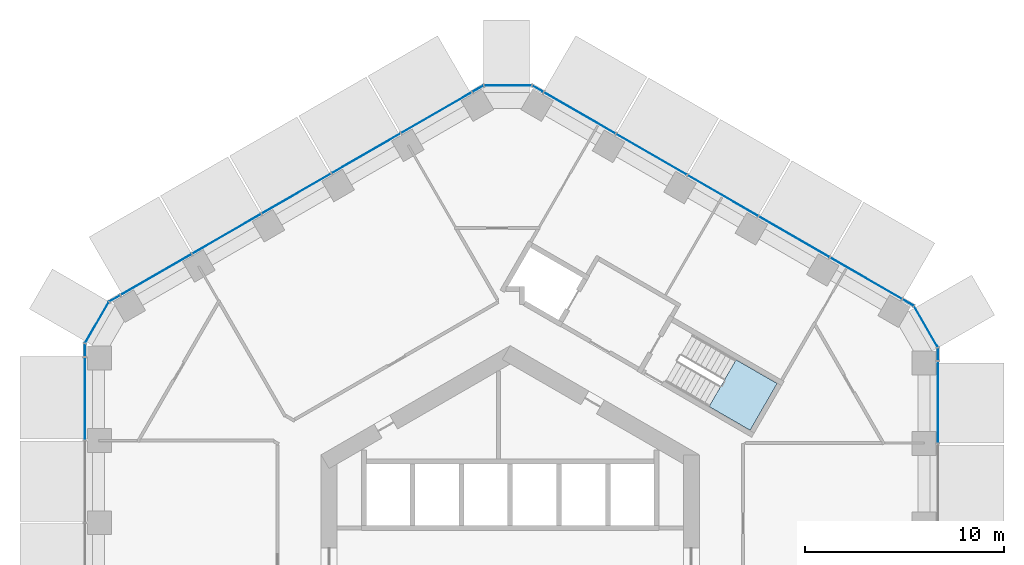
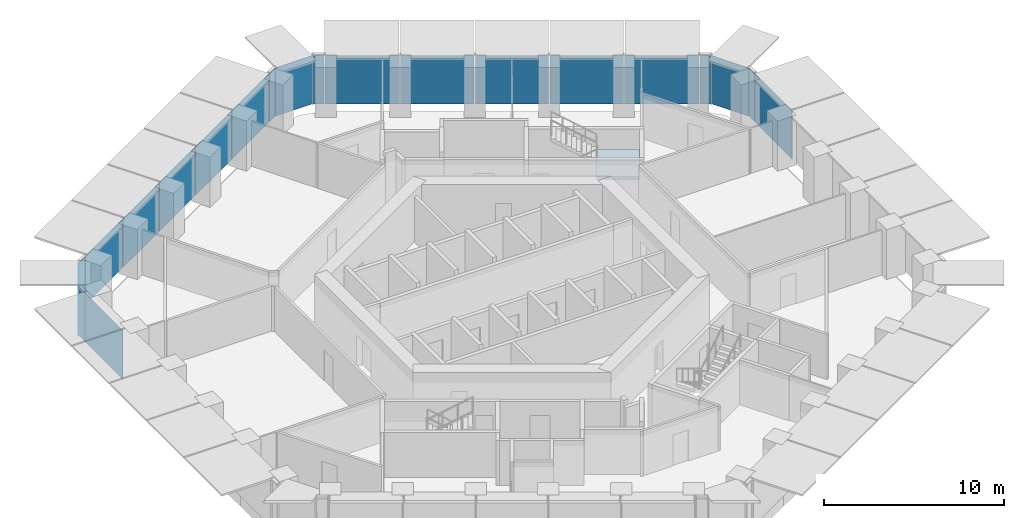
# One storey, part 11 of 19: 21 plates, 1 slab, 8 elements without a shape of their own.
"""IFC4 building model written with IfcOpenShell, lengths in metres."""

from ifc_helpers import new_model, si_unit, direction, frame, origin, origin_2d, place, context, subcontext, project, spatial, polyline, rectangle, outline, extrude, material, layer, layer_set, type_object, element, aggregate, save


model = new_model("IFC4")

# Units and contexts
model_context = context("Model", 3, precision=1e-05, world=origin(), true_north=direction((0.0, 1.0)))
body_context = subcontext(model_context, "Body", "Model", "MODEL_VIEW")
ifc_project = project(units=[si_unit("LENGTHUNIT", "METRE"), si_unit("AREAUNIT", "SQUARE_METRE"), si_unit("VOLUMEUNIT", "CUBIC_METRE"), si_unit("PLANEANGLEUNIT", "RADIAN"), si_unit("MASSUNIT", "GRAM", prefix="KILO")], contexts=[model_context])

# Site, building, storey
site_placement = place(None, origin())
site = spatial("IfcSite", under=ifc_project, at=site_placement, CompositionType="ELEMENT")
building_placement = place(site_placement, origin())
building = spatial("IfcBuilding", under=site, at=building_placement, Name="Ayvan Gate Tower", CompositionType="ELEMENT")
storey_placement = place(building_placement, frame((0.0, 0.0, 32.300048828125)))
storey = spatial("IfcBuildingStorey", under=building, at=storey_placement, Name="L07", CompositionType="ELEMENT", Elevation=32.300048828125)

# Stair, slab
ifc_material_1 = material(Name="Concrete C40/50", Category="concrete")
stair_type = type_object("IfcStairType", Name="ST-EXIT", PredefinedType="HALF_TURN_STAIR", material=ifc_material_1)
stair_placement = place(storey_placement, origin())
stair = element("IfcStair", 1, at=stair_placement, inside=storey, type_object=stair_type, Name="L07 Exit Stair S1", PredefinedType="HALF_TURN_STAIR")
ifc_layer_1 = layer(ifc_material_1, 0.199951171875)
ifc_layer_set_1 = layer_set([ifc_layer_1], Name="Concrete C40/50")
slab_type = type_object("IfcSlabType", Name="SL-LANDING-200", PredefinedType="LANDING", material=ifc_layer_set_1)
slab_placement = place(storey_placement, frame((0.0, 0.0, 1.5)))
slab = element("IfcSlab", 2, at=slab_placement, type_object=slab_type, Name="STS1 landing 1", PredefinedType="LANDING", context=body_context, shape_type="SweptSolid", body=[
    extrude(outline(polyline([(9.988525390625, 7.91064453125), (12.049560546875, 6.720458984375), (13.404541015625, 9.0673828125), (11.343505859375, 10.257568359375), (9.988525390625, 7.91064453125)])), origin(), (0.0, 0.0, 1.0), 0.199951171875),
])
aggregate(stair, [slab])

# Curtain wall, plates
ifc_material_2 = material(Name="Bronze anodised aluminium", Category="aluminium")
ifc_layer_2 = layer(ifc_material_2, 0.199951171875)
ifc_layer_set_2 = layer_set([ifc_layer_2], Name="Bronze anodised aluminium")
curtain_wall_type_1 = type_object("IfcCurtainWallType", Name="Stick curtain wall CW-1", PredefinedType="NOTDEFINED", material=ifc_layer_set_2)
curtain_wall_1_placement = place(storey_placement, origin())
curtain_wall_1 = element("IfcCurtainWall", 3, at=curtain_wall_1_placement, inside=storey, type_object=curtain_wall_type_1, Name="Stick curtain wall CW-1 L07", PredefinedType="NOTDEFINED")
ifc_material_3 = material(Name="Clear low-iron laminated glass", Category="glass")
ifc_layer_3 = layer(ifc_material_3, 0.028076171875)
ifc_layer_set_3 = layer_set([ifc_layer_3], Name="Clear low-iron laminated glass")
plate_type_1 = type_object("IfcPlateType", Name="Stick curtain wall CW-1 glass panel", PredefinedType="CURTAIN_PANEL", material=ifc_layer_set_3)
plate_1_placement = place(storey_placement, frame((-3.6923828125, 22.676513671875, 0.0), z_axis=(0.0, 0.0, 1.0), x_axis=(-0.866025403784, -0.5, 0.0)))
plate_1 = element("IfcPlate", 4, at=plate_1_placement, type_object=plate_type_1, Name="CW-1 glass panel 1", PredefinedType="CURTAIN_PANEL", context=body_context, shape_type="SweptSolid", body=[
    extrude(rectangle(XDim=4.10498046875, YDim=0.028076171875, at=origin_2d()), origin(), (0.0, 0.0, 1.0), 3.280029296875),
])
plate_2_placement = place(storey_placement, frame((-7.244873046875, 20.62548828125, 0.0), z_axis=(0.0, 0.0, 1.0), x_axis=(-0.866025403784, -0.5, 0.0)))
plate_2 = element("IfcPlate", 5, at=plate_2_placement, type_object=plate_type_1, Name="CW-1 glass panel 2", PredefinedType="CURTAIN_PANEL", context=body_context, shape_type="SweptSolid", body=[
    extrude(rectangle(XDim=3.97900390625, YDim=0.028076171875, at=origin_2d()), origin(), (0.0, 0.0, 1.0), 3.280029296875),
])
plate_3_placement = place(storey_placement, frame((-10.7421875, 18.606201171875, 0.0), z_axis=(0.0, 0.0, 1.0), x_axis=(-0.866025403784, -0.5, 0.0)))
plate_3 = element("IfcPlate", 6, at=plate_3_placement, type_object=plate_type_1, Name="CW-1 glass panel 3", PredefinedType="CURTAIN_PANEL", context=body_context, shape_type="SweptSolid", body=[
    extrude(rectangle(XDim=3.97802734375, YDim=0.028076171875, at=origin_2d()), origin(), (0.0, 0.0, 1.0), 3.280029296875),
])
plate_4_placement = place(storey_placement, frame((-14.23974609375, 16.5869140625, 0.0), z_axis=(0.0, 0.0, 1.0), x_axis=(-0.866025403784, -0.5, 0.0)))
plate_4 = element("IfcPlate", 7, at=plate_4_placement, type_object=plate_type_1, Name="CW-1 glass panel 4", PredefinedType="CURTAIN_PANEL", context=body_context, shape_type="SweptSolid", body=[
    extrude(rectangle(XDim=3.97900390625, YDim=0.028076171875, at=origin_2d()), origin(), (0.0, 0.0, 1.0), 3.280029296875),
])
plate_5_placement = place(storey_placement, frame((-17.792236328125, 14.535888671875, 0.0), z_axis=(0.0, 0.0, 1.0), x_axis=(-0.866025403784, -0.5, 0.0)))
plate_5 = element("IfcPlate", 8, at=plate_5_placement, type_object=plate_type_1, Name="CW-1 glass panel 5", PredefinedType="CURTAIN_PANEL", context=body_context, shape_type="SweptSolid", body=[
    extrude(rectangle(XDim=4.10498046875, YDim=0.028076171875, at=origin_2d()), origin(), (0.0, 0.0, 1.0), 3.280029296875),
])
aggregate(curtain_wall_1, [plate_1, plate_2, plate_3, plate_4, plate_5])

# Curtain wall, plate
curtain_wall_2_placement = place(storey_placement, origin())
curtain_wall_2 = element("IfcCurtainWall", 9, at=curtain_wall_2_placement, inside=storey, type_object=curtain_wall_type_1, Name="Stick curtain wall CW-1 L07", PredefinedType="NOTDEFINED")
plate_6_placement = place(storey_placement, frame((-21.365966796875, 8.320556640625, 0.0), z_axis=(0.0, 0.0, 1.0), x_axis=(0.0, -1.0, 0.0)))
plate_6 = element("IfcPlate", 10, at=plate_6_placement, type_object=plate_type_1, Name="CW-1 glass panel 1", PredefinedType="CURTAIN_PANEL", context=body_context, shape_type="SweptSolid", body=[
    extrude(rectangle(XDim=4.156005859375, YDim=0.028076171875, at=origin_2d()), origin(), (0.0, 0.0, 1.0), 3.280029296875),
])
aggregate(curtain_wall_2, [plate_6])

curtain_wall_3_placement = place(storey_placement, origin())
curtain_wall_3 = element("IfcCurtainWall", 11, at=curtain_wall_3_placement, inside=storey, type_object=curtain_wall_type_1, Name="Stick curtain wall CW-1 L07", PredefinedType="NOTDEFINED")
plate_7_placement = place(storey_placement, frame((21.484619140625, 8.140380859375, 0.0), z_axis=(0.0, 0.0, 1.0), x_axis=(0.0, 1.0, 0.0)))
plate_7 = element("IfcPlate", 12, at=plate_7_placement, type_object=plate_type_1, Name="CW-1 glass panel 5", PredefinedType="CURTAIN_PANEL", context=body_context, shape_type="SweptSolid", body=[
    extrude(rectangle(XDim=4.10498046875, YDim=0.028076171875, at=origin_2d()), origin(), (0.0, 0.0, 1.0), 3.280029296875),
])
aggregate(curtain_wall_3, [plate_7])

# Curtain wall, plates
curtain_wall_4_placement = place(storey_placement, origin())
curtain_wall_4 = element("IfcCurtainWall", 13, at=curtain_wall_4_placement, inside=storey, type_object=curtain_wall_type_1, Name="Stick curtain wall CW-1 L07", PredefinedType="NOTDEFINED")
plate_8_placement = place(storey_placement, frame((17.888916015625, 14.343017578125, 0.0), z_axis=(0.0, 0.0, 1.0), x_axis=(-0.866025403784, 0.5, 0.0)))
plate_8 = element("IfcPlate", 14, at=plate_8_placement, type_object=plate_type_1, Name="CW-1 glass panel 1", PredefinedType="CURTAIN_PANEL", context=body_context, shape_type="SweptSolid", body=[
    extrude(rectangle(XDim=4.156005859375, YDim=0.028076171875, at=origin_2d()), origin(), (0.0, 0.0, 1.0), 3.280029296875),
])
plate_9_placement = place(storey_placement, frame((14.269775390625, 16.4326171875, 0.0), z_axis=(0.0, 0.0, 1.0), x_axis=(-0.866025403784, 0.5, 0.0)))
plate_9 = element("IfcPlate", 15, at=plate_9_placement, type_object=plate_type_1, Name="CW-1 glass panel 2", PredefinedType="CURTAIN_PANEL", context=body_context, shape_type="SweptSolid", body=[
    extrude(rectangle(XDim=4.08203125, YDim=0.028076171875, at=origin_2d()), origin(), (0.0, 0.0, 1.0), 3.280029296875),
])
plate_10_placement = place(storey_placement, frame((10.68310546875, 18.50341796875, 0.0), z_axis=(0.0, 0.0, 1.0), x_axis=(-0.866025403784, 0.5, 0.0)))
plate_10 = element("IfcPlate", 16, at=plate_10_placement, type_object=plate_type_1, Name="CW-1 glass panel 3", PredefinedType="CURTAIN_PANEL", context=body_context, shape_type="SweptSolid", body=[
    extrude(rectangle(XDim=4.0810546875, YDim=0.028076171875, at=origin_2d()), origin(), (0.0, 0.0, 1.0), 3.280029296875),
])
plate_11_placement = place(storey_placement, frame((7.096435546875, 20.57421875, 0.0), z_axis=(0.0, 0.0, 1.0), x_axis=(-0.866025403784, 0.5, 0.0)))
plate_11 = element("IfcPlate", 17, at=plate_11_placement, type_object=plate_type_1, Name="CW-1 glass panel 4", PredefinedType="CURTAIN_PANEL", context=body_context, shape_type="SweptSolid", body=[
    extrude(rectangle(XDim=4.08203125, YDim=0.028076171875, at=origin_2d()), origin(), (0.0, 0.0, 1.0), 3.280029296875),
])
plate_12_placement = place(storey_placement, frame((3.477294921875, 22.66357421875, 0.0), z_axis=(0.0, 0.0, 1.0), x_axis=(-0.866025403784, 0.5, 0.0)))
plate_12 = element("IfcPlate", 18, at=plate_12_placement, type_object=plate_type_1, Name="CW-1 glass panel 5", PredefinedType="CURTAIN_PANEL", context=body_context, shape_type="SweptSolid", body=[
    extrude(rectangle(XDim=4.15625, YDim=0.028076171875, at=origin_2d()), origin(), (0.0, 0.0, 1.0), 3.280029296875),
])
aggregate(curtain_wall_4, [plate_8, plate_9, plate_10, plate_11, plate_12])

ifc_layer_4 = layer(ifc_material_2, 0.199951171875)
ifc_layer_set_4 = layer_set([ifc_layer_4], Name="Bronze anodised aluminium")
curtain_wall_type_2 = type_object("IfcCurtainWallType", Name="Stick curtain wall CW-6", PredefinedType="NOTDEFINED", material=ifc_layer_set_4)
curtain_wall_5_placement = place(storey_placement, origin())
curtain_wall_5 = element("IfcCurtainWall", 19, at=curtain_wall_5_placement, inside=storey, type_object=curtain_wall_type_2, Name="Stick curtain wall CW-6 L07", PredefinedType="NOTDEFINED")
ifc_layer_5 = layer(ifc_material_3, 0.028076171875)
ifc_layer_set_5 = layer_set([ifc_layer_5], Name="Clear low-iron laminated glass")
plate_type_2 = type_object("IfcPlateType", Name="Stick curtain wall CW-6 glass panel", PredefinedType="CURTAIN_PANEL", material=ifc_layer_set_5)
plate_13_placement = place(storey_placement, frame((-19.866455078125, 13.33837890625, 0.0), z_axis=(0.0, 0.0, 1.0), x_axis=(-0.866025403784, -0.5, 0.0)))
plate_13 = element("IfcPlate", 20, at=plate_13_placement, type_object=plate_type_2, Name="CW-6 glass panel 1", PredefinedType="CURTAIN_PANEL", context=body_context, shape_type="SweptSolid", body=[
    extrude(rectangle(XDim=0.625, YDim=0.028076171875, at=origin_2d()), origin(), (0.0, 0.0, 1.0), 3.280029296875),
])
plate_14_placement = place(storey_placement, frame((-20.76220703125, 12.124267578125, 0.0), z_axis=(0.0, 0.0, 1.0), x_axis=(-0.5, -0.866025403784, 0.0)))
plate_14 = element("IfcPlate", 21, at=plate_14_placement, type_object=plate_type_2, Name="CW-6 glass panel 2", PredefinedType="CURTAIN_PANEL", context=body_context, shape_type="SweptSolid", body=[
    extrude(rectangle(XDim=2.364501953125, YDim=0.028076171875, at=origin_2d()), origin(), (0.0, 0.0, 1.0), 3.280029296875),
])
plate_15_placement = place(storey_placement, frame((-21.365966796875, 10.7412109375, 0.0), z_axis=(0.0, 0.0, 1.0), x_axis=(0.0, -1.0, 0.0)))
plate_15 = element("IfcPlate", 22, at=plate_15_placement, type_object=plate_type_2, Name="CW-6 glass panel 3", PredefinedType="CURTAIN_PANEL", context=body_context, shape_type="SweptSolid", body=[
    extrude(rectangle(XDim=0.625, YDim=0.028076171875, at=origin_2d()), origin(), (0.0, 0.0, 1.0), 3.280029296875),
])
aggregate(curtain_wall_5, [plate_13, plate_14, plate_15])

curtain_wall_6_placement = place(storey_placement, origin())
curtain_wall_6 = element("IfcCurtainWall", 23, at=curtain_wall_6_placement, inside=storey, type_object=curtain_wall_type_2, Name="Stick curtain wall CW-6 L07", PredefinedType="NOTDEFINED")
plate_16_placement = place(storey_placement, frame((21.484619140625, 10.53564453125, 0.0), z_axis=(0.0, 0.0, 1.0), x_axis=(0.0, 1.0, 0.0)))
plate_16 = element("IfcPlate", 24, at=plate_16_placement, type_object=plate_type_2, Name="CW-6 glass panel 1", PredefinedType="CURTAIN_PANEL", context=body_context, shape_type="SweptSolid", body=[
    extrude(rectangle(XDim=0.625, YDim=0.028076171875, at=origin_2d()), origin(), (0.0, 0.0, 1.0), 3.280029296875),
])
plate_17_placement = place(storey_placement, frame((20.880859375, 11.91845703125, 0.0), z_axis=(0.0, 0.0, 1.0), x_axis=(-0.5, 0.866025403784, 0.0)))
plate_17 = element("IfcPlate", 25, at=plate_17_placement, type_object=plate_type_2, Name="CW-6 glass panel 2", PredefinedType="CURTAIN_PANEL", context=body_context, shape_type="SweptSolid", body=[
    extrude(rectangle(XDim=2.364501953125, YDim=0.028076171875, at=origin_2d()), origin(), (0.0, 0.0, 1.0), 3.280029296875),
])
plate_18_placement = place(storey_placement, frame((19.985107421875, 13.1328125, 0.0), z_axis=(0.0, 0.0, 1.0), x_axis=(-0.866025403784, 0.5, 0.0)))
plate_18 = element("IfcPlate", 26, at=plate_18_placement, type_object=plate_type_2, Name="CW-6 glass panel 3", PredefinedType="CURTAIN_PANEL", context=body_context, shape_type="SweptSolid", body=[
    extrude(rectangle(XDim=0.625, YDim=0.028076171875, at=origin_2d()), origin(), (0.0, 0.0, 1.0), 3.280029296875),
])
aggregate(curtain_wall_6, [plate_16, plate_17, plate_18])

curtain_wall_7_placement = place(storey_placement, origin())
curtain_wall_7 = element("IfcCurtainWall", 27, at=curtain_wall_7_placement, inside=storey, type_object=curtain_wall_type_2, Name="Stick curtain wall CW-6 L07", PredefinedType="NOTDEFINED")
plate_19_placement = place(storey_placement, frame((1.380859375, 23.8740234375, 0.0), z_axis=(0.0, 0.0, 1.0), x_axis=(-0.866025403784, 0.5, 0.0)))
plate_19 = element("IfcPlate", 28, at=plate_19_placement, type_object=plate_type_2, Name="CW-6 glass panel 1", PredefinedType="CURTAIN_PANEL", context=body_context, shape_type="SweptSolid", body=[
    extrude(rectangle(XDim=0.625, YDim=0.028076171875, at=origin_2d()), origin(), (0.0, 0.0, 1.0), 3.280029296875),
])
plate_20_placement = place(storey_placement, frame((-0.11865234375, 24.042724609375, 0.0), z_axis=(0.0, 0.0, 1.0), x_axis=(-1.0, 0.0, 0.0)))
plate_20 = element("IfcPlate", 29, at=plate_20_placement, type_object=plate_type_2, Name="CW-6 glass panel 2", PredefinedType="CURTAIN_PANEL", context=body_context, shape_type="SweptSolid", body=[
    extrude(rectangle(XDim=2.364501953125, YDim=0.028076171875, at=origin_2d()), origin(), (0.0, 0.0, 1.0), 3.280029296875),
])
plate_21_placement = place(storey_placement, frame((-1.6181640625, 23.8740234375, 0.0), z_axis=(0.0, 0.0, 1.0), x_axis=(-0.866025403784, -0.5, 0.0)))
plate_21 = element("IfcPlate", 30, at=plate_21_placement, type_object=plate_type_2, Name="CW-6 glass panel 3", PredefinedType="CURTAIN_PANEL", context=body_context, shape_type="SweptSolid", body=[
    extrude(rectangle(XDim=0.625, YDim=0.028076171875, at=origin_2d()), origin(), (0.0, 0.0, 1.0), 3.280029296875),
])
aggregate(curtain_wall_7, [plate_19, plate_20, plate_21])

save(model, "model.ifc")
